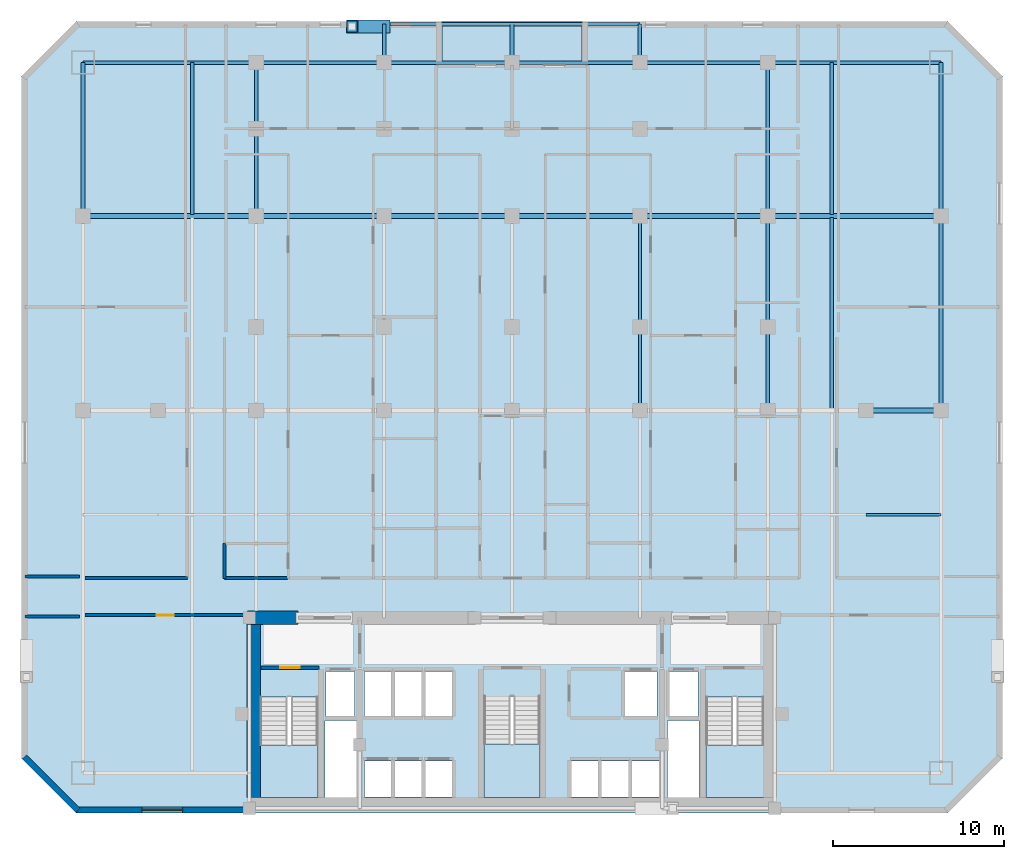
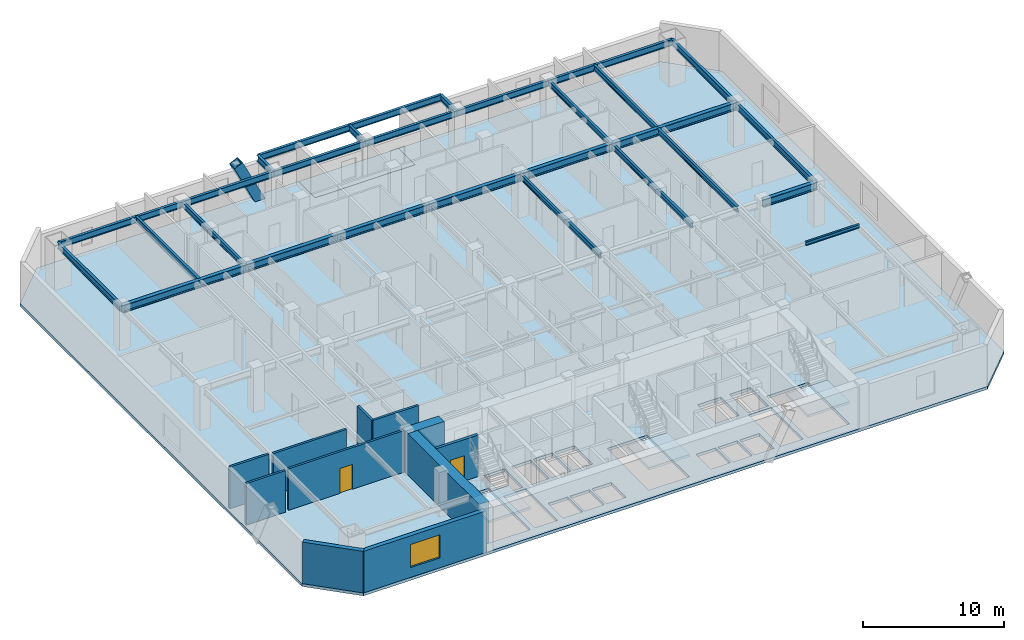
# One storey, part 2 of 9: 29 beams, 11 walls, 5 slabs, 2 doors, 1 member, 1 window, 3 openings, 3 elements without a shape of their own.
"""IFC4 building model written with IfcOpenShell, lengths in metres."""

from ifc_helpers import new_model, si_unit, direction, frame, frame_2d, origin, origin_2d, place, context, subcontext, project, spatial, polyline, rectangle, hollow_rectangle, i_section, outline, extrude, material, layer, layer_set, material_profile, profile_set, type_object, element, fill, aggregate, save


model = new_model("IFC4")

# Units and contexts
model_context = context("Model", 3, precision=1e-05, world=origin(), true_north=direction((0.0, 1.0)))
body_context = subcontext(model_context, "Body", "Model", "MODEL_VIEW")
ifc_project = project(units=[si_unit("LENGTHUNIT", "METRE"), si_unit("AREAUNIT", "SQUARE_METRE"), si_unit("VOLUMEUNIT", "CUBIC_METRE"), si_unit("PLANEANGLEUNIT", "RADIAN"), si_unit("MASSUNIT", "GRAM", prefix="KILO")], contexts=[model_context])

# Site, building, storey
site_placement = place(None, origin())
site = spatial("IfcSite", under=ifc_project, at=site_placement, CompositionType="ELEMENT")
building_placement = place(site_placement, origin())
building = spatial("IfcBuilding", under=site, at=building_placement, Name="Ventersveld Concourse Tower", CompositionType="ELEMENT")
storey_placement = place(building_placement, frame((0.0, 0.0, 45.199951171875)))
storey = spatial("IfcBuildingStorey", under=building, at=storey_placement, Name="L10", CompositionType="ELEMENT", Elevation=45.199951171875)

# Beams
ifc_material_1 = material(Name="Structural steel S355J2", Category="steel")
ifc_material_profile_1 = material_profile(ifc_material_1, i_section(OverallWidth=0.19140625, OverallDepth=0.4599609375, WebThickness=0.010009765625, FlangeThickness=0.01611328125, FilletRadius=0.01025390625, at=origin_2d()), Name="UB 457x191x82")
ifc_profile_set_1 = profile_set([ifc_material_profile_1], Name="Structural steel S355J2")
beam_type_1 = type_object("IfcBeamType", Name="BM-UB457H", PredefinedType="BEAM", material=ifc_profile_set_1)
beam_1_placement = place(storey_placement, frame((10.0, 35.094970703125, 3.3701171875), z_axis=(0.0, 1.0, 0.0), x_axis=(-1.0, 0.0, 0.0)))
element("IfcBeam", 1, at=beam_1_placement, inside=storey, type_object=beam_type_1, Name="L10 N-S Composite Floor Beam North X=10.00", PredefinedType="BEAM", context=body_context, shape_type="SweptSolid", body=[
    extrude(i_section(OverallWidth=0.19140625, OverallDepth=0.4599609375, WebThickness=0.010009765625, FlangeThickness=0.01611328125, FilletRadius=0.01025390625, at=origin_2d()), origin(), (0.0, 0.0, 1.0), 8.905029296875),
])
beam_2_placement = place(storey_placement, frame((13.75, 35.0, 3.3701171875), z_axis=(0.0, 1.0, 0.0), x_axis=(-1.0, 0.0, 0.0)))
element("IfcBeam", 2, at=beam_2_placement, inside=storey, type_object=beam_type_1, Name="L10 N-S Composite Floor Beam North X=13.75", PredefinedType="BEAM", context=body_context, shape_type="SweptSolid", body=[
    extrude(i_section(OverallWidth=0.19140625, OverallDepth=0.4599609375, WebThickness=0.010009765625, FlangeThickness=0.01611328125, FilletRadius=0.01025390625, at=origin_2d()), origin(), (0.0, 0.0, 1.0), 9.0),
])
for number, where, z_axis, x_axis, name in (
    (3, (36.25, 23.60009765625, 3.3701171875), (0.0, 1.0, 0.0), (-1.0, 0.0, 0.0), "L10 N-S Composite Floor Beam Mid X=36.25"),
    (4, (43.75, 23.60009765625, 3.3701171875), (0.0, 1.0, 0.0), (-1.0, 0.0, 0.0), "L10 N-S Composite Floor Beam Mid X=43.75"),
):
    element("IfcBeam", number, at=place(storey_placement, frame(where, z_axis=z_axis, x_axis=x_axis)), inside=storey, type_object=beam_type_1, Name=name, PredefinedType="BEAM", context=body_context, shape_type="SweptSolid", body=[
        extrude(i_section(OverallWidth=0.19140625, OverallDepth=0.4599609375, WebThickness=0.010009765625, FlangeThickness=0.01611328125, FilletRadius=0.01025390625, at=origin_2d()), origin(), (0.0, 0.0, 1.0), 11.39990234375),
    ])
beam_3_placement = place(storey_placement, frame((43.75, 35.0, 3.3701171875), z_axis=(0.0, 1.0, 0.0), x_axis=(-1.0, 0.0, 0.0)))
element("IfcBeam", 5, at=beam_3_placement, inside=storey, type_object=beam_type_1, Name="L10 N-S Composite Floor Beam North X=43.75", PredefinedType="BEAM", context=body_context, shape_type="SweptSolid", body=[
    extrude(i_section(OverallWidth=0.19140625, OverallDepth=0.4599609375, WebThickness=0.010009765625, FlangeThickness=0.01611328125, FilletRadius=0.01025390625, at=origin_2d()), origin(), (0.0, 0.0, 1.0), 9.0),
])
beam_4_placement = place(storey_placement, frame((47.5, 23.695068359375, 3.3701171875), z_axis=(0.0, 1.0, 0.0), x_axis=(-1.0, 0.0, 0.0)))
element("IfcBeam", 6, at=beam_4_placement, inside=storey, type_object=beam_type_1, Name="L10 N-S Composite Floor Beam Mid X=47.50", PredefinedType="BEAM", context=body_context, shape_type="SweptSolid", body=[
    extrude(i_section(OverallWidth=0.19140625, OverallDepth=0.4599609375, WebThickness=0.010009765625, FlangeThickness=0.01611328125, FilletRadius=0.01025390625, at=origin_2d()), origin(), (0.0, 0.0, 1.0), 11.2099609375),
])
beam_5_placement = place(storey_placement, frame((47.5, 35.094970703125, 3.3701171875), z_axis=(0.0, 1.0, 0.0), x_axis=(-1.0, 0.0, 0.0)))
element("IfcBeam", 7, at=beam_5_placement, inside=storey, type_object=beam_type_1, Name="L10 N-S Composite Floor Beam North X=47.50", PredefinedType="BEAM", context=body_context, shape_type="SweptSolid", body=[
    extrude(i_section(OverallWidth=0.19140625, OverallDepth=0.4599609375, WebThickness=0.010009765625, FlangeThickness=0.01611328125, FilletRadius=0.01025390625, at=origin_2d()), origin(), (0.0, 0.0, 1.0), 8.905029296875),
])
ifc_material_profile_2 = material_profile(ifc_material_1, i_section(OverallWidth=0.311279296875, OverallDepth=0.6357421875, WebThickness=0.018310546875, FlangeThickness=0.031494140625, FilletRadius=0.0166015625, at=origin_2d()), Name="UB 610x305x238")
ifc_profile_set_2 = profile_set([ifc_material_profile_2], Name="Structural steel S355J2")
beam_type_2 = type_object("IfcBeamType", Name="GRD-UB610H", PredefinedType="USERDEFINED", material=ifc_profile_set_2)
beam_6_placement = place(storey_placement, frame((49.5, 23.60009765625, 3.2822265625), z_axis=(1.0, 0.0, 0.0), x_axis=(0.0, 1.0, 0.0)))
element("IfcBeam", 8, at=beam_6_placement, inside=storey, type_object=beam_type_2, Name="L10 Primary E-W Grid Girder Y=23.60 #8", ObjectType="GIRDER", PredefinedType="USERDEFINED", context=body_context, shape_type="SweptSolid", body=[
    extrude(i_section(OverallWidth=0.311279296875, OverallDepth=0.6357421875, WebThickness=0.018310546875, FlangeThickness=0.031494140625, FilletRadius=0.0166015625, at=origin_2d()), origin(), (0.0, 0.0, 1.0), 4.39990234375),
])
beam_7_placement = place(storey_placement, frame((3.60009765625, 35.0, 3.2822265625), z_axis=(1.0, 0.0, 0.0), x_axis=(0.0, 1.0, 0.0)))
element("IfcBeam", 9, at=beam_7_placement, inside=storey, type_object=beam_type_2, Name="L10 E-W Grid Girder Y=35.00 #1", ObjectType="GIRDER", PredefinedType="USERDEFINED", context=body_context, shape_type="SweptSolid", body=[
    extrude(i_section(OverallWidth=0.311279296875, OverallDepth=0.6357421875, WebThickness=0.018310546875, FlangeThickness=0.031494140625, FilletRadius=0.0166015625, at=origin_2d()), origin(), (0.0, 0.0, 1.0), 10.14990234375),
])
for number, where, z_axis, x_axis, name in (
    (10, (13.75, 35.0, 3.2822265625), (1.0, 0.0, 0.0), (0.0, 1.0, 0.0), "L10 E-W Grid Girder Y=35.00 #2"),
    (11, (21.25, 35.0, 3.2822265625), (1.0, 0.0, 0.0), (0.0, 1.0, 0.0), "L10 E-W Grid Girder Y=35.00 #3"),
    (12, (28.75, 35.0, 3.2822265625), (1.0, 0.0, 0.0), (0.0, 1.0, 0.0), "L10 E-W Grid Girder Y=35.00 #4"),
    (13, (36.25, 35.0, 3.2822265625), (1.0, 0.0, 0.0), (0.0, 1.0, 0.0), "L10 E-W Grid Girder Y=35.00 #5"),
):
    element("IfcBeam", number, at=place(storey_placement, frame(where, z_axis=z_axis, x_axis=x_axis)), inside=storey, type_object=beam_type_2, Name=name, ObjectType="GIRDER", PredefinedType="USERDEFINED", context=body_context, shape_type="SweptSolid", body=[
        extrude(i_section(OverallWidth=0.311279296875, OverallDepth=0.6357421875, WebThickness=0.018310546875, FlangeThickness=0.031494140625, FilletRadius=0.0166015625, at=origin_2d()), origin(), (0.0, 0.0, 1.0), 7.5),
    ])
beam_8_placement = place(storey_placement, frame((43.75, 35.0, 3.2822265625), z_axis=(1.0, 0.0, 0.0), x_axis=(0.0, 1.0, 0.0)))
element("IfcBeam", 14, at=beam_8_placement, inside=storey, type_object=beam_type_2, Name="L10 E-W Grid Girder Y=35.00 #6", ObjectType="GIRDER", PredefinedType="USERDEFINED", context=body_context, shape_type="SweptSolid", body=[
    extrude(i_section(OverallWidth=0.311279296875, OverallDepth=0.6357421875, WebThickness=0.018310546875, FlangeThickness=0.031494140625, FilletRadius=0.0166015625, at=origin_2d()), origin(), (0.0, 0.0, 1.0), 10.14990234375),
])
ifc_material_profile_3 = material_profile(ifc_material_1, i_section(OverallWidth=0.14990234375, OverallDepth=0.300048828125, WebThickness=0.007080078125, FlangeThickness=0.0107421875, FilletRadius=0.014892578125, at=origin_2d()), Name="IPE 300")
ifc_profile_set_3 = profile_set([ifc_material_profile_3], Name="Structural steel S355J2")
beam_type_3 = type_object("IfcBeamType", Name="JST-IPE300", PredefinedType="JOIST", material=ifc_profile_set_3)
beam_9_placement = place(storey_placement, frame((49.5, 17.5, 3.449951171875), z_axis=(1.0, 0.0, 0.0), x_axis=(0.0, 1.0, 0.0)))
element("IfcBeam", 15, at=beam_9_placement, inside=storey, type_object=beam_type_3, Name="L10 Secondary E-W Floor Joist Y=17.50 #8", PredefinedType="JOIST", context=body_context, shape_type="SweptSolid", body=[
    extrude(i_section(OverallWidth=0.14990234375, OverallDepth=0.300048828125, WebThickness=0.007080078125, FlangeThickness=0.0107421875, FilletRadius=0.014892578125, at=origin_2d()), origin(), (0.0, 0.0, 1.0), 4.39990234375),
])

# Member
ifc_material_2 = material(Name="Structural steel S355ML", Category="steel")
ifc_material_profile_4 = material_profile(ifc_material_2, hollow_rectangle(XDim=0.75, YDim=0.75, WallThickness=0.044921875, at=origin_2d()), Name="BOX 750x750x45")
ifc_profile_set_4 = profile_set([ifc_material_profile_4], Name="Structural steel S355ML")
member_type = type_object("IfcMemberType", Name="MB-750x750", PredefinedType="BRACE", material=ifc_profile_set_4)
member_placement = place(storey_placement, frame((21.25, 46.1201171875, -0.25), z_axis=(-0.437839464193, 0.0, 0.899053170616), x_axis=(0.0, -1.0, 0.0)))
element("IfcMember", 16, at=member_placement, inside=storey, type_object=member_type, Name="L10 Exterior Mega-Brace N (Module M02)", PredefinedType="BRACE", context=body_context, shape_type="SweptSolid", body=[
    extrude(hollow_rectangle(XDim=0.75, YDim=0.75, WallThickness=0.044921875, at=origin_2d()), origin(), (0.0, 0.0, 1.0), 4.282470703125),
])

# Beams
ifc_material_profile_5 = material_profile(ifc_material_1, i_section(OverallWidth=0.2119140625, OverallDepth=0.54443359375, WebThickness=0.0126953125, FlangeThickness=0.021240234375, FilletRadius=0.0126953125, at=origin_2d()), Name="UB 533x210x122")
ifc_profile_set_5 = profile_set([ifc_material_profile_5], Name="Structural steel S355J2")
beam_type_4 = type_object("IfcBeamType", Name="SPD-UB533", PredefinedType="SPANDREL", material=ifc_profile_set_5)
beam_10_placement = place(storey_placement, frame((3.60009765625, 35.0, 3.32763671875), z_axis=(0.0, 1.0, 0.0), x_axis=(-1.0, 0.0, 0.0)))
element("IfcBeam", 17, at=beam_10_placement, inside=storey, type_object=beam_type_4, Name="L10 West Spandrel Beam N", PredefinedType="SPANDREL", context=body_context, shape_type="SweptSolid", body=[
    extrude(i_section(OverallWidth=0.2119140625, OverallDepth=0.54443359375, WebThickness=0.0126953125, FlangeThickness=0.021240234375, FilletRadius=0.0126953125, at=origin_2d()), origin(), (0.0, 0.0, 1.0), 9.0),
])
beam_11_placement = place(storey_placement, frame((53.89990234375, 23.60009765625, 3.32763671875), z_axis=(0.0, 1.0, 0.0), x_axis=(-1.0, 0.0, 0.0)))
element("IfcBeam", 18, at=beam_11_placement, inside=storey, type_object=beam_type_4, Name="L10 East Spandrel Beam M", PredefinedType="SPANDREL", context=body_context, shape_type="SweptSolid", body=[
    extrude(i_section(OverallWidth=0.2119140625, OverallDepth=0.54443359375, WebThickness=0.0126953125, FlangeThickness=0.021240234375, FilletRadius=0.0126953125, at=origin_2d()), origin(), (0.0, 0.0, 1.0), 11.39990234375),
])
beam_12_placement = place(storey_placement, frame((53.89990234375, 35.0, 3.32763671875), z_axis=(0.0, 1.0, 0.0), x_axis=(-1.0, 0.0, 0.0)))
element("IfcBeam", 19, at=beam_12_placement, inside=storey, type_object=beam_type_4, Name="L10 East Spandrel Beam N", PredefinedType="SPANDREL", context=body_context, shape_type="SweptSolid", body=[
    extrude(i_section(OverallWidth=0.2119140625, OverallDepth=0.54443359375, WebThickness=0.0126953125, FlangeThickness=0.021240234375, FilletRadius=0.0126953125, at=origin_2d()), origin(), (0.0, 0.0, 1.0), 9.0),
])
for number, where, z_axis, x_axis, name in (
    (20, (21.25, 44.0, 3.32763671875), (0.0, 1.0, 0.0), (-1.0, 0.0, 0.0), "L10 Terrace Bracket W"),
    (21, (28.75, 44.0, 3.32763671875), (0.0, 1.0, 0.0), (-1.0, 0.0, 0.0), "L10 Terrace Bracket C"),
    (22, (36.25, 44.0, 3.32763671875), (0.0, 1.0, 0.0), (-1.0, 0.0, 0.0), "L10 Terrace Bracket E"),
):
    element("IfcBeam", number, at=place(storey_placement, frame(where, z_axis=z_axis, x_axis=x_axis)), inside=storey, type_object=beam_type_4, Name=name, PredefinedType="SPANDREL", context=body_context, shape_type="SweptSolid", body=[
        extrude(i_section(OverallWidth=0.2119140625, OverallDepth=0.54443359375, WebThickness=0.0126953125, FlangeThickness=0.021240234375, FilletRadius=0.0126953125, at=origin_2d()), origin(), (0.0, 0.0, 1.0), 2.25),
    ])
for number, where, z_axis, x_axis, name in (
    (23, (21.25, 46.25, 3.32763671875), (1.0, 0.0, 0.0), (0.0, 1.0, 0.0), "L10 Terrace Edge Spandrel W"),
    (24, (28.75, 46.25, 3.32763671875), (1.0, 0.0, 0.0), (0.0, 1.0, 0.0), "L10 Terrace Edge Spandrel E"),
):
    element("IfcBeam", number, at=place(storey_placement, frame(where, z_axis=z_axis, x_axis=x_axis)), inside=storey, type_object=beam_type_4, Name=name, PredefinedType="SPANDREL", context=body_context, shape_type="SweptSolid", body=[
        extrude(i_section(OverallWidth=0.2119140625, OverallDepth=0.54443359375, WebThickness=0.0126953125, FlangeThickness=0.021240234375, FilletRadius=0.0126953125, at=origin_2d()), origin(), (0.0, 0.0, 1.0), 7.5),
    ])
beam_13_placement = place(storey_placement, frame((3.60009765625, 44.0, 3.32763671875), z_axis=(1.0, 0.0, 0.0), x_axis=(0.0, 1.0, 0.0)))
element("IfcBeam", 25, at=beam_13_placement, inside=storey, type_object=beam_type_4, Name="L10 North Spandrel Girder Y=44.00 #1", PredefinedType="SPANDREL", context=body_context, shape_type="SweptSolid", body=[
    extrude(i_section(OverallWidth=0.2119140625, OverallDepth=0.54443359375, WebThickness=0.0126953125, FlangeThickness=0.021240234375, FilletRadius=0.0126953125, at=origin_2d()), origin(), (0.0, 0.0, 1.0), 10.14990234375),
])
for number, where, z_axis, x_axis, name in (
    (26, (13.75, 44.0, 3.32763671875), (1.0, 0.0, 0.0), (0.0, 1.0, 0.0), "L10 North Spandrel Girder Y=44.00 #2"),
    (27, (21.25, 44.0, 3.32763671875), (1.0, 0.0, 0.0), (0.0, 1.0, 0.0), "L10 North Spandrel Girder Y=44.00 #3"),
    (28, (28.75, 44.0, 3.32763671875), (1.0, 0.0, 0.0), (0.0, 1.0, 0.0), "L10 North Spandrel Girder Y=44.00 #4"),
    (29, (36.25, 44.0, 3.32763671875), (1.0, 0.0, 0.0), (0.0, 1.0, 0.0), "L10 North Spandrel Girder Y=44.00 #5"),
):
    element("IfcBeam", number, at=place(storey_placement, frame(where, z_axis=z_axis, x_axis=x_axis)), inside=storey, type_object=beam_type_4, Name=name, PredefinedType="SPANDREL", context=body_context, shape_type="SweptSolid", body=[
        extrude(i_section(OverallWidth=0.2119140625, OverallDepth=0.54443359375, WebThickness=0.0126953125, FlangeThickness=0.021240234375, FilletRadius=0.0126953125, at=origin_2d()), origin(), (0.0, 0.0, 1.0), 7.5),
    ])
beam_14_placement = place(storey_placement, frame((43.75, 44.0, 3.32763671875), z_axis=(1.0, 0.0, 0.0), x_axis=(0.0, 1.0, 0.0)))
element("IfcBeam", 30, at=beam_14_placement, inside=storey, type_object=beam_type_4, Name="L10 North Spandrel Girder Y=44.00 #6", PredefinedType="SPANDREL", context=body_context, shape_type="SweptSolid", body=[
    extrude(i_section(OverallWidth=0.2119140625, OverallDepth=0.54443359375, WebThickness=0.0126953125, FlangeThickness=0.021240234375, FilletRadius=0.0126953125, at=origin_2d()), origin(), (0.0, 0.0, 1.0), 10.14990234375),
])

# Slabs
ifc_material_3 = material(Name="Concrete C50/60", Category="concrete")
ifc_layer_1 = layer(ifc_material_3, 0.25)
ifc_layer_set_1 = layer_set([ifc_layer_1], Name="Concrete C50/60")
slab_type_1 = type_object("IfcSlabType", Name="SL-FLR-250", PredefinedType="FLOOR", material=ifc_layer_set_1)
slab_1_placement = place(storey_placement, frame((0.0, 0.0, -0.25)))
element("IfcSlab", 31, at=slab_1_placement, inside=storey, type_object=slab_type_1, Name="L10 Composite Floor Slab", PredefinedType="FLOOR", context=body_context, shape_type="SweptSolid", body=[
    extrude(outline(polyline([(3.199951171875, 0.0), (54.300048828125, 0.0), (57.5, 3.199951171875), (57.5, 43.199951171875), (54.300048828125, 46.39990234375), (32.85009765625, 46.39990234375), (32.85009765625, 44.050048828125), (24.64990234375, 44.050048828125), (24.64990234375, 46.39990234375), (3.199951171875, 46.39990234375), (0.0, 43.199951171875), (0.0, 3.199951171875), (3.199951171875, 0.0)]), holes=[polyline([(13.97998046875, 6.794921875), (13.97998046875, 0.89990234375), (17.3798828125, 0.89990234375), (17.3798828125, 6.794921875), (13.97998046875, 6.794921875)]), polyline([(40.1201171875, 6.794921875), (40.1201171875, 0.89990234375), (43.52001953125, 0.89990234375), (43.52001953125, 6.794921875), (40.1201171875, 6.794921875)]), polyline([(27.10009765625, 6.844970703125), (27.10009765625, 0.89990234375), (30.39990234375, 0.89990234375), (30.39990234375, 6.844970703125), (27.10009765625, 6.844970703125)]), polyline([(17.85009765625, 5.699951171875), (19.530029296875, 5.699951171875), (19.530029296875, 8.300048828125), (17.85009765625, 8.300048828125), (17.85009765625, 5.699951171875)]), polyline([(37.969970703125, 5.699951171875), (39.64990234375, 5.699951171875), (39.64990234375, 8.300048828125), (37.969970703125, 8.300048828125), (37.969970703125, 5.699951171875)]), polyline([(35.35009765625, 5.699951171875), (37.25, 5.699951171875), (37.25, 8.300048828125), (35.35009765625, 8.300048828125), (35.35009765625, 5.699951171875)]), polyline([(20.090087890625, 0.949951171875), (21.68994140625, 0.949951171875), (21.68994140625, 3.050048828125), (20.090087890625, 3.050048828125), (20.090087890625, 0.949951171875)]), polyline([(21.8701171875, 0.949951171875), (23.469970703125, 0.949951171875), (23.469970703125, 3.050048828125), (21.8701171875, 3.050048828125), (21.8701171875, 0.949951171875)]), polyline([(23.64990234375, 0.949951171875), (25.25, 0.949951171875), (25.25, 3.050048828125), (23.64990234375, 3.050048828125), (23.64990234375, 0.949951171875)]), polyline([(32.2099609375, 0.949951171875), (33.81005859375, 0.949951171875), (33.81005859375, 3.050048828125), (32.2099609375, 3.050048828125), (32.2099609375, 0.949951171875)]), polyline([(33.989990234375, 0.949951171875), (35.590087890625, 0.949951171875), (35.590087890625, 3.050048828125), (33.989990234375, 3.050048828125), (33.989990234375, 0.949951171875)]), polyline([(35.77001953125, 0.949951171875), (37.3701171875, 0.949951171875), (37.3701171875, 3.050048828125), (35.77001953125, 3.050048828125), (35.77001953125, 0.949951171875)]), polyline([(20.090087890625, 5.699951171875), (21.68994140625, 5.699951171875), (21.68994140625, 8.300048828125), (20.090087890625, 8.300048828125), (20.090087890625, 5.699951171875)]), polyline([(21.8701171875, 5.699951171875), (23.469970703125, 5.699951171875), (23.469970703125, 8.300048828125), (21.8701171875, 8.300048828125), (21.8701171875, 5.699951171875)]), polyline([(23.64990234375, 5.699951171875), (25.25, 5.699951171875), (25.25, 8.300048828125), (23.64990234375, 8.300048828125), (23.64990234375, 5.699951171875)]), polyline([(17.780029296875, 0.919921875), (19.6201171875, 0.919921875), (19.6201171875, 5.419921875), (17.780029296875, 5.419921875), (17.780029296875, 0.919921875)]), polyline([(37.8798828125, 0.919921875), (39.719970703125, 0.919921875), (39.719970703125, 5.419921875), (37.8798828125, 5.419921875), (37.8798828125, 0.919921875)])]), origin(), (0.0, 0.0, 1.0), 0.25),
])
slab_2_placement = place(storey_placement, frame((0.0, 0.0, -0.25)))
element("IfcSlab", 32, at=slab_2_placement, inside=storey, type_object=slab_type_1, Name="L10 Outdoor Terrace Slab NOTCH-N", PredefinedType="FLOOR", context=body_context, shape_type="SweptSolid", body=[
    extrude(outline(polyline([(24.64990234375, 44.050048828125), (32.85009765625, 44.050048828125), (32.85009765625, 46.39990234375), (24.64990234375, 46.39990234375), (24.64990234375, 44.050048828125)])), origin(), (0.0, 0.0, 1.0), 0.25),
])

# Stair, slab
stair_type_1 = type_object("IfcStairType", Name="ST-DOG-160", PredefinedType="HALF_TURN_STAIR", material=ifc_material_3)
stair_1_placement = place(storey_placement, origin())
stair_1 = element("IfcStair", 33, at=stair_1_placement, inside=storey, type_object=stair_type_1, Name="L10 Protected Tower Escape Stair ST-01", PredefinedType="HALF_TURN_STAIR")
ifc_layer_2 = layer(ifc_material_3, 0.199951171875)
ifc_layer_set_2 = layer_set([ifc_layer_2], Name="Concrete C50/60")
slab_type_2 = type_object("IfcSlabType", Name="SL-LND-200", PredefinedType="LANDING", material=ifc_layer_set_2)
slab_3_placement = place(storey_placement, frame((0.0, 0.0, 1.72509765625)))
slab_3 = element("IfcSlab", 34, at=slab_3_placement, type_object=slab_type_2, Name="ST-01 landing 1", PredefinedType="LANDING", context=body_context, shape_type="SweptSolid", body=[
    extrude(outline(polyline([(13.97998046875, 4.0), (13.97998046875, 0.89990234375), (17.3798828125, 0.89990234375), (17.3798828125, 4.0), (13.97998046875, 4.0)])), origin(), (0.0, 0.0, 1.0), 0.199951171875),
])
aggregate(stair_1, [slab_3])

stair_2_placement = place(storey_placement, origin())
stair_2 = element("IfcStair", 35, at=stair_2_placement, inside=storey, type_object=stair_type_1, Name="L10 Protected Tower Escape Stair ST-02", PredefinedType="HALF_TURN_STAIR")
slab_4_placement = place(storey_placement, frame((0.0, 0.0, 1.72509765625)))
slab_4 = element("IfcSlab", 36, at=slab_4_placement, type_object=slab_type_2, Name="ST-02 landing 1", PredefinedType="LANDING", context=body_context, shape_type="SweptSolid", body=[
    extrude(outline(polyline([(40.1201171875, 4.0), (40.1201171875, 0.89990234375), (43.52001953125, 0.89990234375), (43.52001953125, 4.0), (40.1201171875, 4.0)])), origin(), (0.0, 0.0, 1.0), 0.199951171875),
])
aggregate(stair_2, [slab_4])

stair_type_2 = type_object("IfcStairType", Name="ST-DOG-155", PredefinedType="HALF_TURN_STAIR", material=ifc_material_3)
stair_3_placement = place(storey_placement, origin())
stair_3 = element("IfcStair", 37, at=stair_3_placement, inside=storey, type_object=stair_type_2, Name="L10 Protected Central Core Escape Stair ST-03", PredefinedType="HALF_TURN_STAIR")
slab_5_placement = place(storey_placement, frame((0.0, 0.0, 1.72509765625)))
slab_5 = element("IfcSlab", 38, at=slab_5_placement, type_object=slab_type_2, Name="ST-03 landing 1", PredefinedType="LANDING", context=body_context, shape_type="SweptSolid", body=[
    extrude(outline(polyline([(27.10009765625, 4.050048828125), (27.10009765625, 0.89990234375), (30.39990234375, 0.89990234375), (30.39990234375, 4.050048828125), (27.10009765625, 4.050048828125)])), origin(), (0.0, 0.0, 1.0), 0.199951171875),
])
aggregate(stair_3, [slab_5])

# Walls
ifc_material_4 = material(Name="Concrete C60/75", Category="concrete")
ifc_layer_3 = layer(ifc_material_4, 0.800048828125)
ifc_layer_set_3 = layer_set([ifc_layer_3], Name="Concrete C60/75")
wall_type_1 = type_object("IfcWallType", Name="WL-CORE-800", PredefinedType="SHEAR", material=ifc_layer_set_3)
wall_1_placement = place(storey_placement, frame((13.60009765625, 0.919921875, 0.0), z_axis=(0.0, 0.0, 1.0), x_axis=(0.0, 1.0, 0.0)))
element("IfcWall", 39, at=wall_1_placement, inside=storey, type_object=wall_type_1, Name="L10 Rear Core West Shear Wall", PredefinedType="SHEAR", context=body_context, shape_type="SweptSolid", body=[
    extrude(rectangle(XDim=10.530029296875, YDim=0.800048828125, at=frame_2d((5.26513671875, 0.0))), origin(), (0.0, 0.0, 1.0), 3.60009765625),
])
wall_2_placement = place(storey_placement, frame((13.25, 11.449951171875, 0.0), z_axis=(0.0, 0.0, 1.0), x_axis=(1.0, 0.0, 0.0)))
element("IfcWall", 40, at=wall_2_placement, inside=storey, type_object=wall_type_1, Name="L10 Rear Core North Shear Wall NW", PredefinedType="SHEAR", context=body_context, shape_type="SweptSolid", body=[
    extrude(rectangle(XDim=2.949951171875, YDim=0.800048828125, at=frame_2d((1.47509765625, 0.0))), origin(), (0.0, 0.0, 1.0), 3.60009765625),
])

# Wall, opening, door
ifc_material_5 = material(Name="Fire-rated autoclaved aerated masonry blockwork", Category="masonry")
ifc_layer_4 = layer(ifc_material_5, 0.179931640625)
ifc_layer_set_4 = layer_set([ifc_layer_4], Name="Fire-rated autoclaved aerated masonry blockwork")
wall_type_2 = type_object("IfcWallType", Name="WL-CORR-180", PredefinedType="PARTITIONING", material=ifc_layer_set_4)
wall_3_placement = place(storey_placement, frame((3.705078125, 11.60009765625, 0.0), z_axis=(0.0, 0.0, 1.0), x_axis=(1.0, 0.0, 0.0)))
wall_3 = element("IfcWall", 41, at=wall_3_placement, inside=storey, type_object=wall_type_2, Name="L10 Interior Partition SP-L10-SW-GAL-SP-L10-COR", PredefinedType="PARTITIONING", context=body_context, shape_type="SweptSolid", body=[
    extrude(rectangle(XDim=9.43994140625, YDim=0.179931640625, at=frame_2d((4.719970703125, 0.0))), origin(), (0.0, 0.0, 1.0), 3.60009765625),
])
opening_1_placement = place(wall_3_placement, frame((4.219970703125, 0.0, 0.0)))
opening_1 = element("IfcOpeningElement", 42, at=opening_1_placement, cuts=wall_3, Name="Opening FD3", PredefinedType="OPENING", context=body_context, shape_type="SweptSolid", body=[
    extrude(rectangle(XDim=1.0, YDim=2.14990234375, at=frame_2d((0.5, 1.074951171875))), frame((0.0, 0.10009765625, 0.0), z_axis=(0.0, -1.0, 0.0), x_axis=(1.0, 0.0, 0.0)), (0.0, 0.0, 1.0), 0.199951171875),
])
ifc_material_6 = material(Name="Solid-core hardwood veneer timber", Category="wood")
door_type_1 = type_object("IfcDoorType", Name="DR-FLAT-100", OperationType="NOTDEFINED", PredefinedType="DOOR", material=ifc_material_6)
door_1_placement = place(opening_1_placement, origin())
door_1 = element("IfcDoor", 43, at=door_1_placement, inside=storey, type_object=door_type_1, Name="L10 Interior Door SP-L10-SW-GAL to SP-L10-COR (D-L10-0371)", OperationType="SINGLE_SWING_LEFT", OverallHeight=2.14990234375, OverallWidth=1.0, PredefinedType="DOOR", context=body_context, shape_type="SweptSolid", body=[
    extrude(rectangle(XDim=1.0, YDim=2.14990234375, at=frame_2d((0.5, 1.074951171875))), frame((0.0, 0.02490234375, 0.0), z_axis=(0.0, -1.0, 0.0), x_axis=(1.0, 0.0, 0.0)), (0.0, 0.0, 1.0), 0.050048828125),
])
fill(opening_1, door_1)

# Walls
wall_4_placement = place(storey_placement, frame((3.705078125, 13.77001953125, 0.0), z_axis=(0.0, 0.0, 1.0), x_axis=(1.0, 0.0, 0.0)))
element("IfcWall", 44, at=wall_4_placement, inside=storey, type_object=wall_type_2, Name="L10 Interior Partition SP-L10-COR-SP-L10-NWLNG1", PredefinedType="PARTITIONING", context=body_context, shape_type="SweptSolid", body=[
    extrude(rectangle(XDim=6.010009765625, YDim=0.179931640625, at=frame_2d((3.0048828125, 0.0))), origin(), (0.0, 0.0, 1.0), 3.60009765625),
])
wall_5_placement = place(storey_placement, frame((11.885009765625, 13.77001953125, 0.0), z_axis=(0.0, 0.0, 1.0), x_axis=(1.0, 0.0, 0.0)))
element("IfcWall", 45, at=wall_5_placement, inside=storey, type_object=wall_type_2, Name="L10 Interior Partition SP-L10-COR-SP-L10-10CW-BATH", PredefinedType="PARTITIONING", context=body_context, shape_type="SweptSolid", body=[
    extrude(rectangle(XDim=3.715576171875, YDim=0.179931640625, at=frame_2d((1.85791015625, 0.0))), origin(), (0.0, 0.0, 1.0), 3.60009765625),
])
wall_6_placement = place(storey_placement, frame((11.889892578125, 13.764892578125, 0.0), z_axis=(0.0, 0.0, 1.0), x_axis=(0.0, 1.0, 0.0)))
element("IfcWall", 46, at=wall_6_placement, inside=storey, type_object=wall_type_2, Name="L10 Interior Partition SP-L10-COR-SP-L10-10CW-BATH", PredefinedType="PARTITIONING", context=body_context, shape_type="SweptSolid", body=[
    extrude(rectangle(XDim=2.041259765625, YDim=0.179931640625, at=frame_2d((1.0205078125, 0.0))), origin(), (0.0, 0.0, 1.0), 3.60009765625),
])
wall_7_placement = place(storey_placement, frame((0.2099609375, 11.52001953125, 0.0), z_axis=(0.0, 0.0, 1.0), x_axis=(1.0, 0.0, 0.0)))
element("IfcWall", 47, at=wall_7_placement, inside=storey, type_object=wall_type_2, Name="L10 Room Enclosure Wall SP-L10-SW-GAL", PredefinedType="PARTITIONING", context=body_context, shape_type="SweptSolid", body=[
    extrude(rectangle(XDim=3.177734375, YDim=0.179931640625, at=frame_2d((1.5888671875, 0.0))), origin(), (0.0, 0.0, 1.0), 3.60009765625),
])
wall_8_placement = place(storey_placement, frame((3.39013671875, 13.860107421875, 0.0), z_axis=(0.0, 0.0, 1.0), x_axis=(-1.0, 0.0, 0.0)))
element("IfcWall", 48, at=wall_8_placement, inside=storey, type_object=wall_type_2, Name="L10 Room Enclosure Wall SP-L10-NWLNG1", PredefinedType="PARTITIONING", context=body_context, shape_type="SweptSolid", body=[
    extrude(rectangle(XDim=3.18017578125, YDim=0.179931640625, at=frame_2d((1.590087890625, 0.0))), origin(), (0.0, 0.0, 1.0), 3.60009765625),
])

# Wall, opening, door
ifc_layer_5 = layer(ifc_material_5, 0.219970703125)
ifc_layer_set_5 = layer_set([ifc_layer_5], Name="Fire-rated autoclaved aerated masonry blockwork")
wall_type_3 = type_object("IfcWallType", Name="WL-HOIST-220", PredefinedType="SOLIDWALL", material=ifc_layer_set_5)
wall_9_placement = place(storey_placement, frame((14.0400390625, 8.52001953125, 0.0), z_axis=(0.0, 0.0, 1.0), x_axis=(1.0, 0.0, 0.0)))
wall_9 = element("IfcWall", 49, at=wall_9_placement, inside=storey, type_object=wall_type_3, Name="L10 Escape Stair ST01 Fire Wall", PredefinedType="SOLIDWALL", context=body_context, shape_type="SweptSolid", body=[
    extrude(rectangle(XDim=3.39990234375, YDim=0.219970703125, at=frame_2d((1.699951171875, 0.0))), origin(), (0.0, 0.0, 1.0), 3.60009765625),
])
opening_2_placement = place(wall_9_placement, frame((1.125, 0.0, 0.0)))
opening_2 = element("IfcOpeningElement", 50, at=opening_2_placement, cuts=wall_9, Name="Opening FD1", PredefinedType="OPENING", context=body_context, shape_type="SweptSolid", body=[
    extrude(rectangle(XDim=1.14990234375, YDim=2.199951171875, at=frame_2d((0.574951171875, 1.10009765625))), frame((0.0, 0.1201171875, 0.0), z_axis=(0.0, -1.0, 0.0), x_axis=(1.0, 0.0, 0.0)), (0.0, 0.0, 1.0), 0.239990234375),
])
ifc_material_7 = material(Name="Galvanised painted steel", Category="steel")
door_type_2 = type_object("IfcDoorType", Name="DR-STAIR-115", OperationType="NOTDEFINED", PredefinedType="DOOR", material=ifc_material_7)
door_2_placement = place(opening_2_placement, origin())
door_2 = element("IfcDoor", 51, at=door_2_placement, inside=storey, type_object=door_type_2, Name="L10 Escape Stair Door ST01 (SD-L10-0362)", OperationType="SINGLE_SWING_LEFT", OverallHeight=2.199951171875, OverallWidth=1.14990234375, PredefinedType="DOOR", context=body_context, shape_type="SweptSolid", body=[
    extrude(rectangle(XDim=1.14990234375, YDim=2.199951171875, at=frame_2d((0.574951171875, 1.10009765625))), frame((0.0, 0.02490234375, 0.0), z_axis=(0.0, -1.0, 0.0), x_axis=(1.0, 0.0, 0.0)), (0.0, 0.0, 1.0), 0.050048828125),
])
fill(opening_2, door_2)

# Wall, opening, window
ifc_material_8 = material(Name="Precast concrete C45/55", Category="concrete")
ifc_layer_6 = layer(ifc_material_8, 0.35009765625)
ifc_layer_set_6 = layer_set([ifc_layer_6], Name="Precast concrete C45/55")
wall_type_4 = type_object("IfcWallType", Name="WL-PREC-350", PredefinedType="SOLIDWALL", material=ifc_layer_set_6)
wall_10_placement = place(storey_placement, frame((3.239990234375, 0.179931640625, 0.0), z_axis=(0.0, 0.0, 1.0), x_axis=(1.0, 0.0, 0.0)))
wall_10 = element("IfcWall", 52, at=wall_10_placement, inside=storey, type_object=wall_type_4, Name="L10 South-West Flank Precast Wall", PredefinedType="SOLIDWALL", context=body_context, shape_type="SweptSolid", body=[
    extrude(rectangle(XDim=10.010009765625, YDim=0.35009765625, at=frame_2d((5.0048828125, 0.0))), origin(), (0.0, 0.0, 1.0), 3.60009765625),
])
opening_3_placement = place(wall_10_placement, frame((3.804931640625, 0.0, 0.85009765625)))
opening_3 = element("IfcOpeningElement", 53, at=opening_3_placement, cuts=wall_10, Name="Opening W5", PredefinedType="OPENING", context=body_context, shape_type="SweptSolid", body=[
    extrude(rectangle(XDim=2.39990234375, YDim=2.0, at=frame_2d((1.199951171875, 1.0))), frame((0.0, 0.18505859375, 0.0), z_axis=(0.0, -1.0, 0.0), x_axis=(1.0, 0.0, 0.0)), (0.0, 0.0, 1.0), 0.3701171875),
])
ifc_material_9 = material(Name="Tempered acoustic Low-E IGU", Category="glass")
window_type = type_object("IfcWindowType", Name="WIN-240x210", PartitioningType="SINGLE_PANEL", PredefinedType="WINDOW", material=ifc_material_9)
window_placement = place(opening_3_placement, origin())
window = element("IfcWindow", 54, at=window_placement, inside=storey, type_object=window_type, Name="L10 Punched Low-E Window W-0049", OverallHeight=2.0, OverallWidth=2.39990234375, PartitioningType="SINGLE_PANEL", PredefinedType="WINDOW", context=body_context, shape_type="SweptSolid", body=[
    extrude(rectangle(XDim=2.39990234375, YDim=2.0, at=frame_2d((1.199951171875, 1.0))), frame((0.0, 0.030029296875, 0.0), z_axis=(0.0, -1.0, 0.0), x_axis=(1.0, 0.0, 0.0)), (0.0, 0.0, 1.0), 0.06005859375),
])
fill(opening_3, window)

# Wall
wall_11_placement = place(storey_placement, frame((0.152099609375, 3.29541015625, 0.0), z_axis=(0.0, 0.0, 1.0), x_axis=(0.707106781187, -0.707106781187, 0.0)))
element("IfcWall", 55, at=wall_11_placement, inside=storey, type_object=wall_type_4, Name="L10 Highveld Precast Facade Wall E12", PredefinedType="SOLIDWALL", context=body_context, shape_type="SweptSolid", body=[
    extrude(rectangle(XDim=4.4453125, YDim=0.35009765625, at=frame_2d((2.22265625, 0.0))), origin(), (0.0, 0.0, 1.0), 3.60009765625),
])

save(model, "model.ifc")
